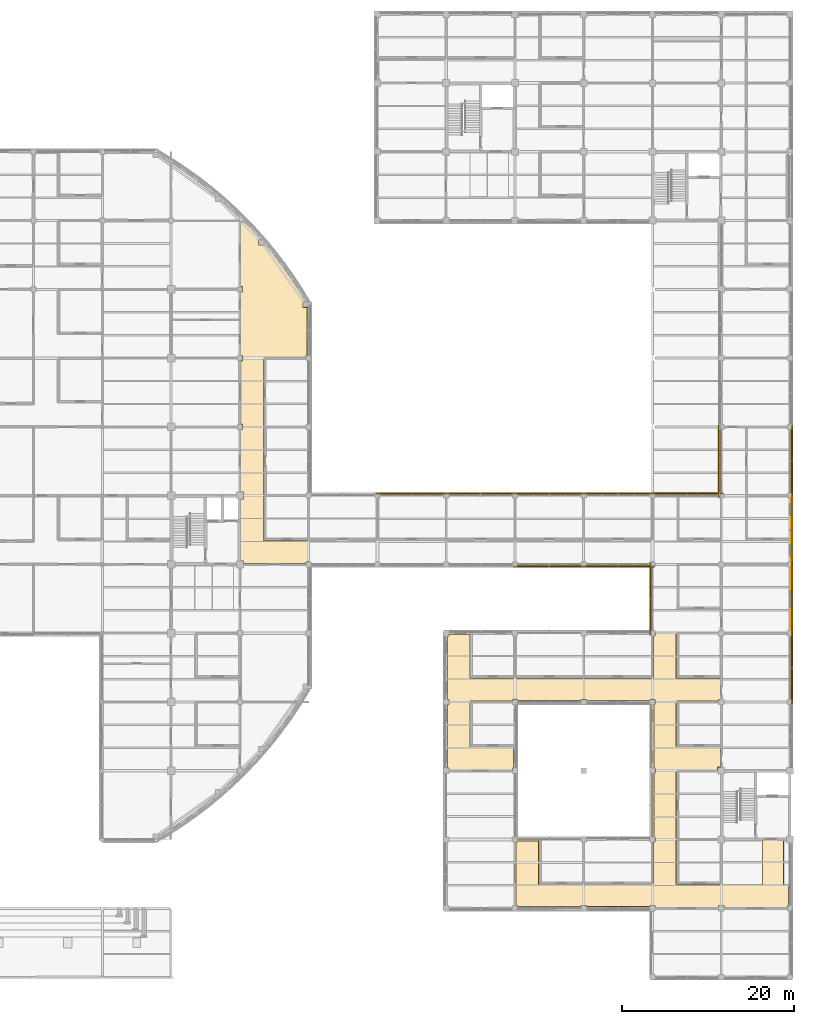
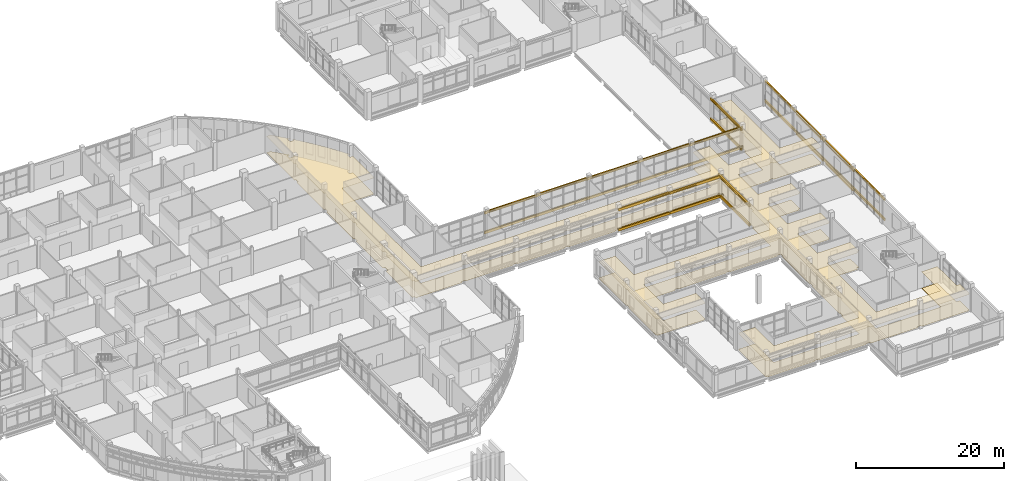
# One storey, part 119 of 121: 30 coverings, 15 shading devices.
"""IFC4 building model written with IfcOpenShell, lengths in metres."""

import ifcopenshell
import ifcopenshell.guid

model = None  # the IFC model being written
_history = None  # IfcOwnerHistory: only IFC2X3 demands one
_inside = {}  # id of a spatial element -> (the spatial element, [elements in it])
_under = {}  # id of a project, library or spatial element -> (it, [spatial elements below it])
_declared = {}  # id of a project -> (the project, [libraries it declares])
_typed = {}  # id of a type object -> (the type object, [elements of that type])
_made_of = {}  # id of a material, layer set ... -> (it, [elements and type objects made of it])


def new_model(schema):
    """Start an empty IFC model of exactly this schema.

    Asked for "IFC4X3", IfcOpenShell would pick the latest addendum, in which some entities
    have other attributes; the version numbers below select the first issue.
    IFC2X3 requires an IfcOwnerHistory on every rooted entity: one is made here for all.
    """
    global model, _history
    if schema == "IFC4X3":
        model = ifcopenshell.file(schema_version=(4, 3, 0, 0))
    else:
        model = ifcopenshell.file(schema=schema)
    _inside.clear()
    _under.clear()
    _declared.clear()
    _typed.clear()
    _made_of.clear()
    _history = None
    if model.schema == "IFC2X3":
        org = make("IfcOrganization", Name="unknown")
        user = make(
            "IfcPersonAndOrganization",
            ThePerson=make("IfcPerson", FamilyName="unknown"),
            TheOrganization=org,
        )
        app = make(
            "IfcApplication",
            ApplicationDeveloper=org,
            Version="unknown",
            ApplicationFullName="unknown",
            ApplicationIdentifier="unknown",
        )
        _history = make(
            "IfcOwnerHistory",
            OwningUser=user,
            OwningApplication=app,
            ChangeAction="ADDED",
            CreationDate=0,
        )
    return model


def make(cls, **values):
    """One entity of the class cls with the attributes given. An attribute that is None is left unset."""
    return model.create_entity(
        cls, **{name: value for name, value in values.items() if value is not None}
    )


def rooted(cls, **values):
    """An entity with a GlobalId (a new one), such as an element, a storey or a relation."""
    return make(cls, GlobalId=ifcopenshell.guid.new(), OwnerHistory=_history, **values)


def si_unit(unit_type, name, prefix=None):
    """IfcSIUnit, for example si_unit("LENGTHUNIT", "METRE", prefix="MILLI")."""
    return make("IfcSIUnit", UnitType=unit_type, Prefix=prefix, Name=name)


def derived_unit(unit_type, elements):
    """IfcDerivedUnit: a product of units, each with its exponent."""
    return make(
        "IfcDerivedUnit",
        Elements=[
            make("IfcDerivedUnitElement", Unit=unit, Exponent=power)
            for unit, power in elements
        ],
        UnitType=unit_type,
    )


def assignment(units):
    """IfcUnitAssignment: the units of a project."""
    return None if units is None else make("IfcUnitAssignment", Units=units)


def point(xyz):
    """IfcCartesianPoint."""
    return None if xyz is None else make("IfcCartesianPoint", Coordinates=xyz)


def direction(xyz):
    """IfcDirection."""
    return None if xyz is None else make("IfcDirection", DirectionRatios=xyz)


def frame(location, z_axis=None, x_axis=None):
    """IfcAxis2Placement3D, a coordinate frame: its origin and axes. An axis left out is left unset."""
    return make(
        "IfcAxis2Placement3D",
        Location=point(location),
        Axis=direction(z_axis),
        RefDirection=direction(x_axis),
    )


def frame_2d(location, x_axis=None):
    """IfcAxis2Placement2D, a coordinate frame in the plane: its origin and x axis."""
    return make(
        "IfcAxis2Placement2D", Location=point(location), RefDirection=direction(x_axis)
    )


def origin():
    """The frame at (0, 0, 0) with its axes left unset."""
    return frame((0.0, 0.0, 0.0))


def origin_2d():
    """The frame at (0, 0) in the plane with its x axis left unset."""
    return frame_2d((0.0, 0.0))


def place(relative_to, where):
    """IfcLocalPlacement: puts the frame where relative to a parent placement (None: the world)."""
    return make(
        "IfcLocalPlacement", PlacementRelTo=relative_to, RelativePlacement=where
    )


def context(
    kind, dimensions, precision=None, world=None, true_north=None, identifier=None
):
    """IfcGeometricRepresentationContext, for example the 3D "Model" context."""
    return make(
        "IfcGeometricRepresentationContext",
        ContextIdentifier=identifier,
        ContextType=kind,
        CoordinateSpaceDimension=dimensions,
        Precision=precision,
        WorldCoordinateSystem=world,
        TrueNorth=true_north,
    )


def subcontext(parent, identifier, kind, view, scale=None):
    """IfcGeometricRepresentationSubContext, for example "Body" below "Model"."""
    return make(
        "IfcGeometricRepresentationSubContext",
        ContextIdentifier=identifier,
        ContextType=kind,
        ParentContext=parent,
        TargetScale=scale,
        TargetView=view,
    )


def project(units=None, contexts=None):
    """IfcProject with its units and contexts."""
    return rooted(
        "IfcProject",
        Name="project",
        RepresentationContexts=contexts,
        UnitsInContext=assignment(units),
    )


def spatial(cls, under=None, at=None, **own):
    """A site, building, storey or space (cls), placed at a placement, below another one or the project."""
    s = rooted(cls, ObjectPlacement=at, **own)
    if under is not None:
        _under.setdefault(under.id(), (under, []))[1].append(s)
    return s


def polyline(points):
    """IfcPolyline through the points."""
    return make("IfcPolyline", Points=[point(p) for p in points])


def profile(cls, at=None, kind="AREA", **sizes):
    """A parametric profile (cls). Its sizes go by their IFC names, for example OverallWidth=200.0."""
    return make(cls, ProfileType=kind, Position=at, **sizes)


def rectangle(**sizes):
    """IfcRectangleProfileDef."""
    return profile("IfcRectangleProfileDef", **sizes)


def circle(**sizes):
    """IfcCircleProfileDef."""
    return profile("IfcCircleProfileDef", **sizes)


def outline(outer, holes=None, kind="AREA"):
    """IfcArbitraryClosedProfileDef: a profile drawn as a closed curve; with holes, ...WithVoids."""
    if holes is None:
        return make("IfcArbitraryClosedProfileDef", ProfileType=kind, OuterCurve=outer)
    return make(
        "IfcArbitraryProfileDefWithVoids",
        ProfileType=kind,
        OuterCurve=outer,
        InnerCurves=holes,
    )


def extrude(swept, where, along, depth):
    """IfcExtrudedAreaSolid: the profile swept, set in the frame where, extruded along a direction by depth."""
    return make(
        "IfcExtrudedAreaSolid",
        SweptArea=swept,
        Position=where,
        ExtrudedDirection=direction(along),
        Depth=depth,
    )


def shape(context_of_items, identifier, shape_type, items):
    """IfcShapeRepresentation: the items that make up one representation, for example the "Body"."""
    return make(
        "IfcShapeRepresentation",
        ContextOfItems=context_of_items,
        RepresentationIdentifier=identifier,
        RepresentationType=shape_type,
        Items=items,
    )


def material(Name=None, Category=None):
    """IfcMaterial."""
    return make("IfcMaterial", Name=Name, Category=Category)


def layer(
    of_material, thickness, ventilated=None, Name=None, Category=None, Priority=None
):
    """IfcMaterialLayer: one layer of a wall or slab, of a material (None: an air gap)."""
    return make(
        "IfcMaterialLayer",
        Material=of_material,
        LayerThickness=thickness,
        IsVentilated=ventilated,
        Name=Name,
        Category=Category,
        Priority=Priority,
    )


def layer_set(layers, Name=None):
    """IfcMaterialLayerSet."""
    return make("IfcMaterialLayerSet", MaterialLayers=layers, LayerSetName=Name)


def material_profile(
    of_material, cross_section, Name=None, Category=None, Priority=None
):
    """IfcMaterialProfile: a cross section and its material."""
    return make(
        "IfcMaterialProfile",
        Name=Name,
        Material=of_material,
        Profile=cross_section,
        Priority=Priority,
        Category=Category,
    )


def profile_set(profiles, Name=None, composite=None):
    """IfcMaterialProfileSet."""
    return make(
        "IfcMaterialProfileSet",
        Name=Name,
        MaterialProfiles=profiles,
        CompositeProfile=composite,
    )


def made_of(thing, what):
    """Note that an element or type object is made of a material, layer set ...; save() writes the relation."""
    if what is not None:
        _made_of.setdefault(what.id(), (what, []))[1].append(thing)
    return thing


def type_object(cls, material=None, **own):
    """A type object (cls), such as IfcWallType, which elements share."""
    return made_of(rooted(cls, **own), material)


def element(
    cls,
    number,
    at=None,
    inside=None,
    cuts=None,
    type_object=None,
    material=None,
    context=None,
    identifier="Body",
    shape_type=None,
    held_by="IfcProductDefinitionShape",
    body=None,
    shapes=None,
    **own,
):
    """One element of the class cls, such as IfcWall. Its Tag is "e" and its number.

    at: its placement. inside: the storey or other place that contains it. cuts: it is an
    opening in that element (IfcRelVoidsElement). A single representation is given by context,
    identifier, shape_type and body (its items); several are given by shapes. held_by: the class
    of the entity that holds the representations. save() writes the other relations.
    """
    e = rooted(cls, Tag="e%d" % number, ObjectPlacement=at, **own)
    if body is not None:
        shapes = [shape(context, identifier, shape_type, body)]
    if shapes is not None:
        e.Representation = make(held_by, Representations=shapes)
    if inside is not None:
        _inside.setdefault(inside.id(), (inside, []))[1].append(e)
    if cuts is not None:
        rooted(
            "IfcRelVoidsElement", RelatingBuildingElement=cuts, RelatedOpeningElement=e
        )
    if type_object is not None:
        _typed.setdefault(type_object.id(), (type_object, []))[1].append(e)
    return made_of(e, material)


def aggregate(whole, parts):
    """IfcRelAggregates: a whole, such as a stair, and the parts it consists of."""
    return rooted("IfcRelAggregates", RelatingObject=whole, RelatedObjects=parts)


def save(model, path):
    """Write the relations noted so far, then the file.

    IfcRelAggregates (storeys below a building ...), IfcRelContainedInSpatialStructure (elements
    in a storey), IfcRelDefinesByType, IfcRelAssociatesMaterial and IfcRelDeclares: one each for
    every whole, place, type object, material and project.
    """
    for whole, parts in _under.values():
        aggregate(whole, parts)
    for where, things in _inside.values():
        rooted(
            "IfcRelContainedInSpatialStructure",
            RelatedElements=things,
            RelatingStructure=where,
        )
    for kind, things in _typed.values():
        rooted("IfcRelDefinesByType", RelatedObjects=things, RelatingType=kind)
    for what, things in _made_of.values():
        rooted("IfcRelAssociatesMaterial", RelatedObjects=things, RelatingMaterial=what)
    for by, libraries in _declared.values():
        rooted("IfcRelDeclares", RelatingContext=by, RelatedDefinitions=libraries)
    model.write(path)


model = new_model("IFC4")

# Units and contexts
model_context = context("Model", 3, precision=1e-05, world=origin(), true_north=direction((0.0, 1.0)))
body_context = subcontext(model_context, "Body", "Model", "MODEL_VIEW")
ifc_project = project(units=[si_unit("LENGTHUNIT", "METRE"), si_unit("AREAUNIT", "SQUARE_METRE"), si_unit("VOLUMEUNIT", "CUBIC_METRE"), si_unit("PLANEANGLEUNIT", "RADIAN"), si_unit("MASSUNIT", "GRAM", prefix="KILO"), derived_unit("THERMALTRANSMITTANCEUNIT", [(si_unit("MASSUNIT", "GRAM", prefix="KILO"), 1), (si_unit("TIMEUNIT", "SECOND"), -3), (si_unit("THERMODYNAMICTEMPERATUREUNIT", "KELVIN"), -1)])], contexts=[model_context])

# Site, building, storey
site_placement = place(None, origin())
site = spatial("IfcSite", under=ifc_project, at=site_placement, CompositionType="ELEMENT")
building_placement = place(site_placement, origin())
building = spatial("IfcBuilding", under=site, at=building_placement, Name="Veyamyaing Civic Hall", CompositionType="ELEMENT")
storey_placement = place(building_placement, frame((0.0, 0.0, 5.280029296875)))
storey = spatial("IfcBuildingStorey", under=building, at=storey_placement, Name="L01", CompositionType="ELEMENT", Elevation=5.280029296875)

# Coverings
ifc_material_1 = material(Name="Buff sandstone ashlar cladding", Category="masonry")
ifc_layer_1 = layer(ifc_material_1, 0.050048828125, Name="Buff sandstone ashlar cladding")
ifc_layer_set_1 = layer_set([ifc_layer_1], Name="Buff sandstone ashlar cladding")
covering_type_1 = type_object("IfcCoveringType", Name="CL-01", PredefinedType="CLADDING", material=ifc_layer_set_1)
for number, where, z_axis, x_axis, name in (
    (1, (176.160888671875, 44.0, 0.044921875), (0.0, 0.0, 1.0), (0.0, 1.0, 0.0), "Facade spandrel cladding CL-01 L01 E 22.6"),
    (2, (176.160888671875, 52.0, 0.044921875), (0.0, 0.0, 1.0), (0.0, 1.0, 0.0), "Facade spandrel cladding CL-01 L01 E 22.7"),
):
    element("IfcCovering", number, at=place(storey_placement, frame(where, z_axis=z_axis, x_axis=x_axis)), inside=storey, type_object=covering_type_1, Name=name, PredefinedType="CLADDING", context=body_context, shape_type="SweptSolid", body=[
        extrude(rectangle(XDim=7.35009765625, YDim=0.050048828125, at=origin_2d()), origin(), (0.0, 0.0, 1.0), 0.75),
    ])
ifc_material_2 = material(Name="White powder-coated aluminium 6063-T6", Category="aluminium")
ifc_layer_2 = layer(ifc_material_2, 0.2099609375, Name="White powder-coated aluminium 6063-T6")
ifc_layer_set_2 = layer_set([ifc_layer_2], Name="White powder-coated aluminium 6063-T6")
covering_type_2 = type_object("IfcCoveringType", Name="CL-03", PredefinedType="CLADDING", material=ifc_layer_set_2)
for number, where, z_axis, x_axis, name in (
    (3, (132.0, 56.239990234375, 3.530029296875), (0.0, 0.0, 1.0), (1.0, 0.0, 0.0), "Continuous white head fascia ribbon CL-03 L01 N 17.7"),
    (4, (132.0, 56.239990234375, 0.280029296875), (0.0, 0.0, 1.0), (1.0, 0.0, 0.0), "Continuous white sill fascia ribbon CL-03 L01 N 17.7"),
    (5, (140.0, 56.239990234375, 3.593994140625), (0.0, 0.0, 1.0), (1.0, 0.0, 0.0), "Continuous white head fascia ribbon CL-03 L01 N 18.7"),
    (6, (140.0, 56.239990234375, 0.280029296875), (0.0, 0.0, 1.0), (1.0, 0.0, 0.0), "Continuous white sill fascia ribbon CL-03 L01 N 18.7"),
    (7, (148.0, 47.760009765625, 3.593994140625), (0.0, 0.0, 1.0), (1.0, 0.0, 0.0), "Continuous white head fascia ribbon CL-03 L01 S 19.7"),
    (8, (148.0, 47.760009765625, 0.280029296875), (0.0, 0.0, 1.0), (1.0, 0.0, 0.0), "Continuous white sill fascia ribbon CL-03 L01 S 19.7"),
    (9, (148.0, 56.239990234375, 3.533935546875), (0.0, 0.0, 1.0), (1.0, 0.0, 0.0), "Continuous white head fascia ribbon CL-03 L01 N 19.7"),
    (10, (148.0, 56.239990234375, 0.280029296875), (0.0, 0.0, 1.0), (1.0, 0.0, 0.0), "Continuous white sill fascia ribbon CL-03 L01 N 19.7"),
    (11, (156.0, 47.760009765625, 3.533935546875), (0.0, 0.0, 1.0), (1.0, 0.0, 0.0), "Continuous white head fascia ribbon CL-03 L01 S 20.7"),
    (12, (156.0, 47.760009765625, 0.280029296875), (0.0, 0.0, 1.0), (1.0, 0.0, 0.0), "Continuous white sill fascia ribbon CL-03 L01 S 20.7"),
    (13, (156.0, 56.239990234375, 3.596923828125), (0.0, 0.0, 1.0), (1.0, 0.0, 0.0), "Continuous white head fascia ribbon CL-03 L01 N 20.7"),
    (14, (156.0, 56.239990234375, 0.280029296875), (0.0, 0.0, 1.0), (1.0, 0.0, 0.0), "Continuous white sill fascia ribbon CL-03 L01 N 20.7"),
    (15, (159.760009765625, 44.0, 3.533935546875), (0.0, 0.0, 1.0), (0.0, 1.0, 0.0), "Continuous white head fascia ribbon CL-03 L01 W 21.6"),
    (16, (159.760009765625, 44.0, 0.280029296875), (0.0, 0.0, 1.0), (0.0, 1.0, 0.0), "Continuous white sill fascia ribbon CL-03 L01 W 21.6"),
    (17, (164.0, 56.239990234375, 3.530029296875), (0.0, 0.0, 1.0), (1.0, 0.0, 0.0), "Continuous white head fascia ribbon CL-03 L01 N 21.7"),
    (18, (164.0, 56.239990234375, 0.280029296875), (0.0, 0.0, 1.0), (1.0, 0.0, 0.0), "Continuous white sill fascia ribbon CL-03 L01 N 21.7"),
    (19, (176.239990234375, 36.0, 3.596923828125), (0.0, 0.0, 1.0), (0.0, 1.0, 0.0), "Continuous white head fascia ribbon CL-03 L01 E 22.5"),
    (20, (176.239990234375, 36.0, 0.280029296875), (0.0, 0.0, 1.0), (0.0, 1.0, 0.0), "Continuous white sill fascia ribbon CL-03 L01 E 22.5"),
    (21, (176.239990234375, 44.0, 3.530029296875), (0.0, 0.0, 1.0), (0.0, 1.0, 0.0), "Continuous white head fascia ribbon CL-03 L01 E 22.6"),
    (22, (176.239990234375, 44.0, 0.280029296875), (0.0, 0.0, 1.0), (0.0, 1.0, 0.0), "Continuous white sill fascia ribbon CL-03 L01 E 22.6"),
    (23, (176.239990234375, 52.0, 3.593994140625), (0.0, 0.0, 1.0), (0.0, 1.0, 0.0), "Continuous white head fascia ribbon CL-03 L01 E 22.7"),
    (24, (176.239990234375, 52.0, 0.280029296875), (0.0, 0.0, 1.0), (0.0, 1.0, 0.0), "Continuous white sill fascia ribbon CL-03 L01 E 22.7"),
    (25, (167.760009765625, 60.0, 3.593994140625), (0.0, 0.0, 1.0), (0.0, 1.0, 0.0), "Continuous white head fascia ribbon CL-03 L01 W 22.8"),
    (26, (167.760009765625, 60.0, 0.280029296875), (0.0, 0.0, 1.0), (0.0, 1.0, 0.0), "Continuous white sill fascia ribbon CL-03 L01 W 22.8"),
    (27, (176.239990234375, 60.0, 3.533935546875), (0.0, 0.0, 1.0), (0.0, 1.0, 0.0), "Continuous white head fascia ribbon CL-03 L01 E 22.8"),
    (28, (176.239990234375, 60.0, 0.280029296875), (0.0, 0.0, 1.0), (0.0, 1.0, 0.0), "Continuous white sill fascia ribbon CL-03 L01 E 22.8"),
):
    element("IfcCovering", number, at=place(storey_placement, frame(where, z_axis=z_axis, x_axis=x_axis)), inside=storey, type_object=covering_type_2, Name=name, PredefinedType="CLADDING", context=body_context, shape_type="SweptSolid", body=[
        extrude(rectangle(XDim=8.360107421875, YDim=0.2099609375, at=origin_2d()), origin(), (0.0, 0.0, 1.0), 0.39990234375),
    ])
ifc_material_3 = material(Name="Perforated acoustic gypsum ceiling board")
ifc_layer_3 = layer(ifc_material_3, 0.02490234375, Name="Perforated acoustic gypsum ceiling board")
ifc_layer_set_3 = layer_set([ifc_layer_3], Name="Perforated acoustic gypsum ceiling board")
covering_type_3 = type_object("IfcCoveringType", Name="CLG-01", PredefinedType="CEILING", material=ifc_layer_set_3)
covering_1_placement = place(storey_placement, frame((0.0, 0.0, 2.699951171875)))
element("IfcCovering", 29, at=covering_1_placement, inside=storey, type_object=covering_type_3, Name="Acoustic suspended ceiling CLG-01 L01-C06", PredefinedType="CEILING", context=body_context, shape_type="SweptSolid", body=[
    extrude(outline(polyline([(138.783935546875, 34.8154296875), (138.802734375, 34.79248046875), (138.8291015625, 34.7783203125), (138.851806640625, 34.77490234375), (159.998291015625, 34.77490234375), (160.021728515625, 34.778564453125), (160.04150390625, 34.787841796875), (160.05810546875, 34.802978515625), (160.065673828125, 34.814208984375), (160.073486328125, 34.8359375), (160.074951171875, 34.851318359375), (160.074951171875, 39.715087890625), (160.284912109375, 39.715087890625), (160.284912109375, 40.284912109375), (160.155029296875, 40.284912109375), (160.155029296875, 47.715087890625), (160.284912109375, 47.715087890625), (160.284912109375, 48.284912109375), (159.715087890625, 48.284912109375), (159.715087890625, 48.155029296875), (152.284912109375, 48.155029296875), (152.284912109375, 48.284912109375), (151.715087890625, 48.284912109375), (151.715087890625, 48.155029296875), (144.284912109375, 48.155029296875), (144.284912109375, 48.284912109375), (143.715087890625, 48.284912109375), (143.715087890625, 48.155029296875), (136.284912109375, 48.155029296875), (136.284912109375, 48.284912109375), (135.715087890625, 48.284912109375), (135.715087890625, 48.155029296875), (128.284912109375, 48.155029296875), (128.284912109375, 48.284912109375), (127.715087890625, 48.284912109375), (127.715087890625, 48.155029296875), (120.284912109375, 48.155029296875), (120.284912109375, 48.284912109375), (119.715087890625, 48.284912109375), (119.715087890625, 48.074951171875), (112.385009765625, 48.074951171875), (112.385009765625, 48.385009765625), (112.074951171875, 48.385009765625), (112.074951171875, 55.614990234375), (112.385009765625, 55.614990234375), (112.385009765625, 56.385009765625), (112.074951171875, 56.385009765625), (112.074951171875, 63.715087890625), (112.284912109375, 63.715087890625), (112.284912109375, 64.284912109375), (112.074951171875, 64.284912109375), (112.074951171875, 71.715087890625), (112.284912109375, 71.715087890625), (112.284912109375, 72.284912109375), (112.074951171875, 72.284912109375), (112.074951171875, 79.715087890625), (112.284912109375, 79.715087890625), (112.284912109375, 80.284912109375), (112.074951171875, 80.284912109375), (112.074951171875, 87.844970703125), (112.664306640625, 87.844970703125), (113.503662109375, 86.9736328125), (114.595703125, 85.751708984375), (114.210205078125, 85.751708984375), (114.210205078125, 85.181640625), (114.780029296875, 85.181640625), (114.780029296875, 85.537841796875), (115.83740234375, 84.26171875), (116.9267578125, 82.842041015625), (117.962158203125, 81.3828125), (118.9423828125, 79.8857421875), (119.77392578125, 78.505859375), (119.351318359375, 78.505859375), (119.351318359375, 77.935791015625), (119.844970703125, 77.935791015625), (119.844970703125, 72.284912109375), (119.715087890625, 72.284912109375), (119.715087890625, 72.074951171875), (114.851806640625, 72.074951171875), (114.8291015625, 72.071533203125), (114.80224609375, 72.057373046875), (114.788330078125, 72.0419921875), (114.77685546875, 72.014404296875), (114.77490234375, 50.851806640625), (114.778564453125, 50.828369140625), (114.787841796875, 50.80859375), (114.802490234375, 50.792236328125), (114.82080078125, 50.78125), (114.8525390625, 50.77490234375), (160.006103515625, 50.775390625), (160.03515625, 50.7841796875), (160.05810546875, 50.80322265625), (160.068603515625, 50.82080078125), (160.074951171875, 50.8525390625), (160.074951171875, 55.715087890625), (160.284912109375, 55.715087890625), (160.284912109375, 55.844970703125), (162.77490234375, 55.844970703125), (162.77490234375, 50.8525390625), (162.78125, 50.821533203125), (162.79736328125, 50.79736328125), (162.821533203125, 50.78125), (162.8525390625, 50.77490234375), (168.01513671875, 50.77685546875), (168.03466796875, 50.783935546875), (168.05810546875, 50.80322265625), (168.068603515625, 50.82080078125), (168.074951171875, 50.8525390625), (168.074951171875, 55.715087890625), (168.284912109375, 55.715087890625), (168.284912109375, 56.284912109375), (168.155029296875, 56.284912109375), (168.155029296875, 63.715087890625), (168.284912109375, 63.715087890625), (168.284912109375, 63.925048828125), (170.77490234375, 63.925048828125), (170.77490234375, 50.851806640625), (170.778564453125, 50.828369140625), (170.787841796875, 50.80859375), (170.80224609375, 50.792724609375), (170.8291015625, 50.7783203125), (170.851806640625, 50.77490234375), (175.844970703125, 50.77490234375), (175.844970703125, 48.284912109375), (175.715087890625, 48.284912109375), (175.715087890625, 48.074951171875), (168.284912109375, 48.074951171875), (168.284912109375, 48.284912109375), (167.715087890625, 48.284912109375), (167.715087890625, 48.074951171875), (162.851806640625, 48.074951171875), (162.8291015625, 48.071533203125), (162.80224609375, 48.057373046875), (162.787841796875, 48.04150390625), (162.778564453125, 48.021728515625), (162.77490234375, 47.998291015625), (162.77490234375, 42.8525390625), (162.78125, 42.821533203125), (162.79736328125, 42.79736328125), (162.821533203125, 42.78125), (162.8525390625, 42.77490234375), (167.925048828125, 42.77490234375), (167.925048828125, 40.284912109375), (167.715087890625, 40.284912109375), (167.715087890625, 40.074951171875), (162.851318359375, 40.074951171875), (162.8359375, 40.073486328125), (162.814208984375, 40.065673828125), (162.802978515625, 40.05810546875), (162.787841796875, 40.04150390625), (162.778564453125, 40.021728515625), (162.77490234375, 39.998291015625), (162.77490234375, 34.851806640625), (162.778564453125, 34.828369140625), (162.787841796875, 34.80859375), (162.80224609375, 34.792724609375), (162.8291015625, 34.7783203125), (162.851806640625, 34.77490234375), (167.925048828125, 34.77490234375), (167.925048828125, 32.284912109375), (167.715087890625, 32.284912109375), (167.715087890625, 32.074951171875), (162.8525390625, 32.074951171875), (162.821533203125, 32.06884765625), (162.79736328125, 32.052734375), (162.78125, 32.028564453125), (162.77490234375, 31.99755859375), (162.77685546875, 26.8349609375), (162.783935546875, 26.8154296875), (162.802734375, 26.79248046875), (162.8291015625, 26.7783203125), (162.851806640625, 26.77490234375), (167.925048828125, 26.77490234375), (167.925048828125, 24.385009765625), (167.614990234375, 24.385009765625), (167.614990234375, 24.074951171875), (162.851806640625, 24.074951171875), (162.828369140625, 24.071533203125), (162.80859375, 24.06201171875), (162.792236328125, 24.04736328125), (162.78125, 24.029296875), (162.77490234375, 23.99755859375), (162.775390625, 10.843994140625), (162.7841796875, 10.81494140625), (162.802734375, 10.79248046875), (162.8291015625, 10.7783203125), (162.851806640625, 10.77490234375), (172.697509765625, 10.77490234375), (172.729248046875, 10.78125), (172.747314453125, 10.792236328125), (172.76220703125, 10.80859375), (172.771484375, 10.828369140625), (172.77490234375, 10.851806640625), (172.77490234375, 15.925048828125), (175.27490234375, 15.925048828125), (175.275390625, 10.84326171875), (175.281005859375, 10.8212890625), (175.2919921875, 10.80322265625), (175.3154296875, 10.783935546875), (175.3349609375, 10.77685546875), (175.844970703125, 10.77490234375), (175.844970703125, 8.284912109375), (175.715087890625, 8.284912109375), (175.715087890625, 8.074951171875), (168.284912109375, 8.074951171875), (168.284912109375, 8.284912109375), (167.715087890625, 8.284912109375), (167.715087890625, 8.074951171875), (160.284912109375, 8.074951171875), (160.284912109375, 8.284912109375), (159.715087890625, 8.284912109375), (159.715087890625, 8.155029296875), (152.284912109375, 8.155029296875), (152.284912109375, 8.284912109375), (151.715087890625, 8.284912109375), (151.715087890625, 8.155029296875), (144.284912109375, 8.155029296875), (144.284912109375, 8.284912109375), (144.074951171875, 8.284912109375), (144.074951171875, 15.715087890625), (144.284912109375, 15.715087890625), (144.284912109375, 15.844970703125), (146.77490234375, 15.844970703125), (146.77490234375, 10.851806640625), (146.778564453125, 10.828369140625), (146.787841796875, 10.80859375), (146.80224609375, 10.792724609375), (146.8291015625, 10.7783203125), (146.851806640625, 10.77490234375), (159.998779296875, 10.77490234375), (160.013916015625, 10.776611328125), (160.035888671875, 10.7841796875), (160.047119140625, 10.791748046875), (160.06201171875, 10.80859375), (160.071533203125, 10.828369140625), (160.074951171875, 10.851806640625), (160.074951171875, 15.715087890625), (160.284912109375, 15.715087890625), (160.284912109375, 16.284912109375), (160.155029296875, 16.284912109375), (160.155029296875, 23.715087890625), (160.284912109375, 23.715087890625), (160.284912109375, 24.284912109375), (160.155029296875, 24.284912109375), (160.155029296875, 31.715087890625), (160.284912109375, 31.715087890625), (160.284912109375, 32.284912109375), (159.715087890625, 32.284912109375), (159.715087890625, 32.155029296875), (152.284912109375, 32.155029296875), (152.284912109375, 32.284912109375), (151.715087890625, 32.284912109375), (151.715087890625, 32.155029296875), (144.284912109375, 32.155029296875), (144.284912109375, 32.284912109375), (143.715087890625, 32.284912109375), (143.715087890625, 32.074951171875), (138.851806640625, 32.074951171875), (138.8291015625, 32.071533203125), (138.80224609375, 32.057373046875), (138.787841796875, 32.04150390625), (138.778564453125, 32.021728515625), (138.77490234375, 31.998291015625), (138.77490234375, 26.851806640625), (138.778564453125, 26.828369140625), (138.787841796875, 26.80859375), (138.802978515625, 26.791748046875), (138.814208984375, 26.7841796875), (138.8359375, 26.776611328125), (138.851318359375, 26.77490234375), (143.844970703125, 26.77490234375), (143.844970703125, 24.284912109375), (143.715087890625, 24.284912109375), (143.715087890625, 24.074951171875), (136.284912109375, 24.074951171875), (136.284912109375, 24.284912109375), (136.155029296875, 24.284912109375), (136.155029296875, 31.715087890625), (136.284912109375, 31.715087890625), (136.284912109375, 32.284912109375), (136.155029296875, 32.284912109375), (136.155029296875, 39.715087890625), (136.284912109375, 39.715087890625), (136.284912109375, 39.844970703125), (138.77490234375, 39.844970703125), (138.77685546875, 34.8349609375), (138.783935546875, 34.8154296875)])), origin(), (0.0, 0.0, 1.0), 0.02490234375),
])
ifc_material_4 = material(Name="Polished Mandalay marble and terrazzo flooring", Category="masonry")
ifc_layer_4 = layer(ifc_material_4, 0.030029296875, Name="Polished Mandalay marble and terrazzo flooring")
ifc_layer_set_4 = layer_set([ifc_layer_4], Name="Polished Mandalay marble and terrazzo flooring")
covering_type_4 = type_object("IfcCoveringType", Name="FLR-01", PredefinedType="FLOORING", material=ifc_layer_set_4)
covering_2_placement = place(storey_placement, origin())
element("IfcCovering", 30, at=covering_2_placement, inside=storey, type_object=covering_type_4, Name="Stone and terrazzo flooring FLR-01 L01-C06", PredefinedType="FLOORING", context=body_context, shape_type="SweptSolid", body=[
    extrude(outline(polyline([(138.76171875, 34.802978515625), (138.78662109375, 34.772705078125), (138.821044921875, 34.75439453125), (138.85009765625, 34.75), (160.0, 34.75), (160.029052734375, 34.75439453125), (160.0556640625, 34.766845703125), (160.077392578125, 34.78662109375), (160.088134765625, 34.802978515625), (160.09814453125, 34.83056640625), (160.10009765625, 34.85009765625), (160.10009765625, 39.68994140625), (160.31005859375, 39.68994140625), (160.31005859375, 40.31005859375), (160.179931640625, 40.31005859375), (160.179931640625, 47.68994140625), (160.31005859375, 47.68994140625), (160.31005859375, 48.31005859375), (159.68994140625, 48.31005859375), (159.68994140625, 48.179931640625), (152.31005859375, 48.179931640625), (152.31005859375, 48.31005859375), (151.68994140625, 48.31005859375), (151.68994140625, 48.179931640625), (144.31005859375, 48.179931640625), (144.31005859375, 48.31005859375), (143.68994140625, 48.31005859375), (143.68994140625, 48.179931640625), (136.31005859375, 48.179931640625), (136.31005859375, 48.31005859375), (135.68994140625, 48.31005859375), (135.68994140625, 48.179931640625), (128.31005859375, 48.179931640625), (128.31005859375, 48.31005859375), (127.68994140625, 48.31005859375), (127.68994140625, 48.179931640625), (120.31005859375, 48.179931640625), (120.31005859375, 48.31005859375), (119.68994140625, 48.31005859375), (119.68994140625, 48.10009765625), (112.409912109375, 48.10009765625), (112.409912109375, 48.409912109375), (112.10009765625, 48.409912109375), (112.10009765625, 55.590087890625), (112.409912109375, 55.590087890625), (112.409912109375, 56.409912109375), (112.10009765625, 56.409912109375), (112.10009765625, 63.68994140625), (112.31005859375, 63.68994140625), (112.31005859375, 64.31005859375), (112.10009765625, 64.31005859375), (112.10009765625, 71.68994140625), (112.31005859375, 71.68994140625), (112.31005859375, 72.31005859375), (112.10009765625, 72.31005859375), (112.10009765625, 79.68994140625), (112.31005859375, 79.68994140625), (112.31005859375, 80.31005859375), (112.10009765625, 80.31005859375), (112.10009765625, 87.820068359375), (112.653564453125, 87.820068359375), (113.4853515625, 86.95654296875), (114.539794921875, 85.776611328125), (114.18505859375, 85.776611328125), (114.18505859375, 85.156494140625), (114.80517578125, 85.156494140625), (114.80517578125, 85.468505859375), (115.81787109375, 84.24609375), (116.906494140625, 82.8271484375), (117.94140625, 81.36865234375), (118.921142578125, 79.87255859375), (119.7294921875, 78.53076171875), (119.326416015625, 78.53076171875), (119.326416015625, 77.910888671875), (119.820068359375, 77.910888671875), (119.820068359375, 72.31005859375), (119.68994140625, 72.31005859375), (119.68994140625, 72.10009765625), (114.85009765625, 72.10009765625), (114.821044921875, 72.095703125), (114.78662109375, 72.077392578125), (114.766845703125, 72.0556640625), (114.751953125, 72.01953125), (114.75, 50.85009765625), (114.75439453125, 50.821044921875), (114.766845703125, 50.79443359375), (114.78662109375, 50.772705078125), (114.811767578125, 50.757568359375), (114.85009765625, 50.75), (160.009765625, 50.75048828125), (160.047119140625, 50.76171875), (160.077392578125, 50.78662109375), (160.09228515625, 50.811767578125), (160.10009765625, 50.85009765625), (160.10009765625, 55.68994140625), (160.31005859375, 55.68994140625), (160.31005859375, 55.820068359375), (162.75, 55.820068359375), (162.75, 50.85009765625), (162.757568359375, 50.811767578125), (162.779296875, 50.779296875), (162.811767578125, 50.757568359375), (162.85009765625, 50.75), (168.01953125, 50.751953125), (168.047119140625, 50.76171875), (168.077392578125, 50.78662109375), (168.09228515625, 50.811767578125), (168.10009765625, 50.85009765625), (168.10009765625, 55.68994140625), (168.31005859375, 55.68994140625), (168.31005859375, 56.31005859375), (168.179931640625, 56.31005859375), (168.179931640625, 63.68994140625), (168.31005859375, 63.68994140625), (168.31005859375, 63.89990234375), (170.75, 63.89990234375), (170.75, 50.85009765625), (170.75439453125, 50.821044921875), (170.766845703125, 50.79443359375), (170.78662109375, 50.772705078125), (170.821044921875, 50.75439453125), (170.85009765625, 50.75), (175.820068359375, 50.75), (175.820068359375, 48.31005859375), (175.68994140625, 48.31005859375), (175.68994140625, 48.10009765625), (168.31005859375, 48.10009765625), (168.31005859375, 48.31005859375), (167.68994140625, 48.31005859375), (167.68994140625, 48.10009765625), (162.85009765625, 48.10009765625), (162.821044921875, 48.095703125), (162.78662109375, 48.077392578125), (162.766845703125, 48.0556640625), (162.75439453125, 48.029052734375), (162.75, 48.0), (162.75, 42.85009765625), (162.757568359375, 42.811767578125), (162.779296875, 42.779296875), (162.811767578125, 42.757568359375), (162.85009765625, 42.75), (167.89990234375, 42.75), (167.89990234375, 40.31005859375), (167.68994140625, 40.31005859375), (167.68994140625, 40.10009765625), (162.85009765625, 40.10009765625), (162.83056640625, 40.09814453125), (162.802978515625, 40.088134765625), (162.78662109375, 40.077392578125), (162.766845703125, 40.0556640625), (162.75439453125, 40.029052734375), (162.75, 40.0), (162.75, 34.85009765625), (162.75439453125, 34.821044921875), (162.766845703125, 34.79443359375), (162.78662109375, 34.772705078125), (162.821044921875, 34.75439453125), (162.85009765625, 34.75), (167.89990234375, 34.75), (167.89990234375, 32.31005859375), (167.68994140625, 32.31005859375), (167.68994140625, 32.10009765625), (162.85009765625, 32.10009765625), (162.811767578125, 32.09228515625), (162.779296875, 32.07080078125), (162.757568359375, 32.038330078125), (162.75, 32.0), (162.751953125, 26.83056640625), (162.76171875, 26.802978515625), (162.78662109375, 26.772705078125), (162.821044921875, 26.75439453125), (162.85009765625, 26.75), (167.89990234375, 26.75), (167.89990234375, 24.409912109375), (167.590087890625, 24.409912109375), (167.590087890625, 24.10009765625), (162.85009765625, 24.10009765625), (162.821044921875, 24.095703125), (162.79443359375, 24.0830078125), (162.772705078125, 24.0634765625), (162.757568359375, 24.038330078125), (162.75, 24.0), (162.75048828125, 10.840087890625), (162.76171875, 10.802978515625), (162.78662109375, 10.772705078125), (162.821044921875, 10.75439453125), (162.85009765625, 10.75), (172.699951171875, 10.75), (172.73828125, 10.757568359375), (172.763427734375, 10.772705078125), (172.783203125, 10.79443359375), (172.795654296875, 10.821044921875), (172.800048828125, 10.85009765625), (172.800048828125, 15.89990234375), (175.25, 15.89990234375), (175.25048828125, 10.840087890625), (175.257568359375, 10.811767578125), (175.272705078125, 10.78662109375), (175.302978515625, 10.76171875), (175.33056640625, 10.751953125), (175.820068359375, 10.75), (175.820068359375, 8.31005859375), (175.68994140625, 8.31005859375), (175.68994140625, 8.10009765625), (168.31005859375, 8.10009765625), (168.31005859375, 8.31005859375), (167.68994140625, 8.31005859375), (167.68994140625, 8.10009765625), (160.31005859375, 8.10009765625), (160.31005859375, 8.31005859375), (159.68994140625, 8.31005859375), (159.68994140625, 8.179931640625), (152.31005859375, 8.179931640625), (152.31005859375, 8.31005859375), (151.68994140625, 8.31005859375), (151.68994140625, 8.179931640625), (144.31005859375, 8.179931640625), (144.31005859375, 8.31005859375), (144.10009765625, 8.31005859375), (144.10009765625, 15.68994140625), (144.31005859375, 15.68994140625), (144.31005859375, 15.820068359375), (146.75, 15.820068359375), (146.75, 10.85009765625), (146.75439453125, 10.821044921875), (146.766845703125, 10.79443359375), (146.78662109375, 10.772705078125), (146.821044921875, 10.75439453125), (146.85009765625, 10.75), (160.0, 10.75), (160.01953125, 10.751953125), (160.047119140625, 10.76171875), (160.0634765625, 10.772705078125), (160.0830078125, 10.79443359375), (160.095703125, 10.821044921875), (160.10009765625, 10.85009765625), (160.10009765625, 15.68994140625), (160.31005859375, 15.68994140625), (160.31005859375, 16.31005859375), (160.179931640625, 16.31005859375), (160.179931640625, 23.68994140625), (160.31005859375, 23.68994140625), (160.31005859375, 24.31005859375), (160.179931640625, 24.31005859375), (160.179931640625, 31.68994140625), (160.31005859375, 31.68994140625), (160.31005859375, 32.31005859375), (159.68994140625, 32.31005859375), (159.68994140625, 32.179931640625), (152.31005859375, 32.179931640625), (152.31005859375, 32.31005859375), (151.68994140625, 32.31005859375), (151.68994140625, 32.179931640625), (144.31005859375, 32.179931640625), (144.31005859375, 32.31005859375), (143.68994140625, 32.31005859375), (143.68994140625, 32.10009765625), (138.85009765625, 32.10009765625), (138.821044921875, 32.095703125), (138.78662109375, 32.077392578125), (138.766845703125, 32.0556640625), (138.75439453125, 32.029052734375), (138.75, 32.0), (138.75, 26.85009765625), (138.75439453125, 26.821044921875), (138.766845703125, 26.79443359375), (138.78662109375, 26.772705078125), (138.802978515625, 26.76171875), (138.83056640625, 26.751953125), (138.85009765625, 26.75), (143.820068359375, 26.75), (143.820068359375, 24.31005859375), (143.68994140625, 24.31005859375), (143.68994140625, 24.10009765625), (136.31005859375, 24.10009765625), (136.31005859375, 24.31005859375), (136.179931640625, 24.31005859375), (136.179931640625, 31.68994140625), (136.31005859375, 31.68994140625), (136.31005859375, 32.31005859375), (136.179931640625, 32.31005859375), (136.179931640625, 39.68994140625), (136.31005859375, 39.68994140625), (136.31005859375, 39.820068359375), (138.75, 39.820068359375), (138.751953125, 34.83056640625), (138.76171875, 34.802978515625)])), origin(), (0.0, 0.0, 1.0), 0.030029296875),
])

# Shading devices
ifc_material_5 = material(Name="Anodised aluminium 6063-T6", Category="aluminium")
ifc_material_profile_1 = material_profile(ifc_material_5, rectangle(XDim=0.050048828125, YDim=0.25, at=origin_2d()), Name="LOUVRE-BLADE-50X250")
ifc_profile_set_1 = profile_set([ifc_material_profile_1], Name="Anodised aluminium 6063-T6")
shading_device_type_1 = type_object("IfcShadingDeviceType", Name="LV-01", PredefinedType="JALOUSIE", material=ifc_profile_set_1)
for number, where, z_axis, x_axis, name in (
    (31, (176.219970703125, 40.284912109375, 3.35986328125), (0.0, 1.0, 0.0), (-1.0, 0.0, 0.0), "Monsoon solar louvre LV-01 L01 E 22.6"),
    (32, (176.219970703125, 48.284912109375, 3.424072265625), (0.0, 1.0, 0.0), (-1.0, 0.0, 0.0), "Monsoon solar louvre LV-01 L01 E 22.7"),
):
    element("IfcShadingDevice", number, at=place(storey_placement, frame(where, z_axis=z_axis, x_axis=x_axis)), inside=storey, type_object=shading_device_type_1, Name=name, PredefinedType="JALOUSIE", context=body_context, shape_type="SweptSolid", body=[
        extrude(rectangle(XDim=0.050048828125, YDim=0.25, at=origin_2d()), origin(), (0.0, 0.0, 1.0), 7.43017578125),
    ])
ifc_material_profile_2 = material_profile(ifc_material_2, circle(Radius=0.090087890625, at=origin_2d()), Name="SHADE-TUBE-180")
ifc_profile_set_2 = profile_set([ifc_material_profile_2], Name="White powder-coated aluminium 6063-T6")
shading_device_type_2 = type_object("IfcShadingDeviceType", Name="SH-02", PredefinedType="USERDEFINED", material=ifc_profile_set_2)
for number, where, z_axis, x_axis, name in (
    (33, (128.284912109375, 56.239990234375, 3.68994140625), (1.0, 0.0, 0.0), (0.0, 1.0, 0.0), "Horizontal white sunshade ribbon SH-02 L01 N 17.7"),
    (34, (136.284912109375, 56.239990234375, 3.75390625), (1.0, 0.0, 0.0), (0.0, 1.0, 0.0), "Horizontal white sunshade ribbon SH-02 L01 N 18.7"),
    (35, (144.284912109375, 47.760009765625, 3.75390625), (1.0, 0.0, 0.0), (0.0, 1.0, 0.0), "Horizontal white sunshade ribbon SH-02 L01 S 19.7"),
    (36, (144.284912109375, 56.239990234375, 3.694091796875), (1.0, 0.0, 0.0), (0.0, 1.0, 0.0), "Horizontal white sunshade ribbon SH-02 L01 N 19.7"),
    (37, (152.284912109375, 47.760009765625, 3.694091796875), (1.0, 0.0, 0.0), (0.0, 1.0, 0.0), "Horizontal white sunshade ribbon SH-02 L01 S 20.7"),
    (38, (152.284912109375, 56.239990234375, 3.757080078125), (1.0, 0.0, 0.0), (0.0, 1.0, 0.0), "Horizontal white sunshade ribbon SH-02 L01 N 20.7"),
    (39, (159.760009765625, 40.284912109375, 3.694091796875), (0.0, 1.0, 0.0), (-1.0, 0.0, 0.0), "Horizontal white sunshade ribbon SH-02 L01 W 21.6"),
    (40, (160.284912109375, 56.239990234375, 3.68994140625), (1.0, 0.0, 0.0), (0.0, 1.0, 0.0), "Horizontal white sunshade ribbon SH-02 L01 N 21.7"),
    (41, (176.239990234375, 32.284912109375, 3.757080078125), (0.0, 1.0, 0.0), (-1.0, 0.0, 0.0), "Horizontal white sunshade ribbon SH-02 L01 E 22.5"),
    (42, (176.239990234375, 40.284912109375, 3.68994140625), (0.0, 1.0, 0.0), (-1.0, 0.0, 0.0), "Horizontal white sunshade ribbon SH-02 L01 E 22.6"),
    (43, (176.239990234375, 48.284912109375, 3.75390625), (0.0, 1.0, 0.0), (-1.0, 0.0, 0.0), "Horizontal white sunshade ribbon SH-02 L01 E 22.7"),
    (44, (167.760009765625, 56.284912109375, 3.75390625), (0.0, 1.0, 0.0), (-1.0, 0.0, 0.0), "Horizontal white sunshade ribbon SH-02 L01 W 22.8"),
    (45, (176.239990234375, 56.284912109375, 3.694091796875), (0.0, 1.0, 0.0), (-1.0, 0.0, 0.0), "Horizontal white sunshade ribbon SH-02 L01 E 22.8"),
):
    element("IfcShadingDevice", number, at=place(storey_placement, frame(where, z_axis=z_axis, x_axis=x_axis)), inside=storey, type_object=shading_device_type_2, Name=name, ObjectType="SUNSHADE", PredefinedType="USERDEFINED", context=body_context, shape_type="SweptSolid", body=[
        extrude(circle(Radius=0.090087890625, at=origin_2d()), origin(), (0.0, 0.0, 1.0), 7.43017578125),
    ])

save(model, "model.ifc")
